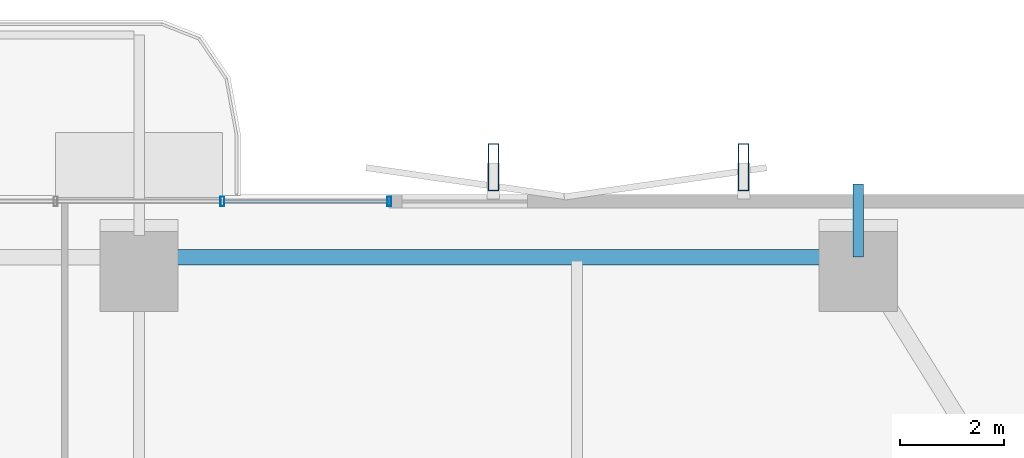
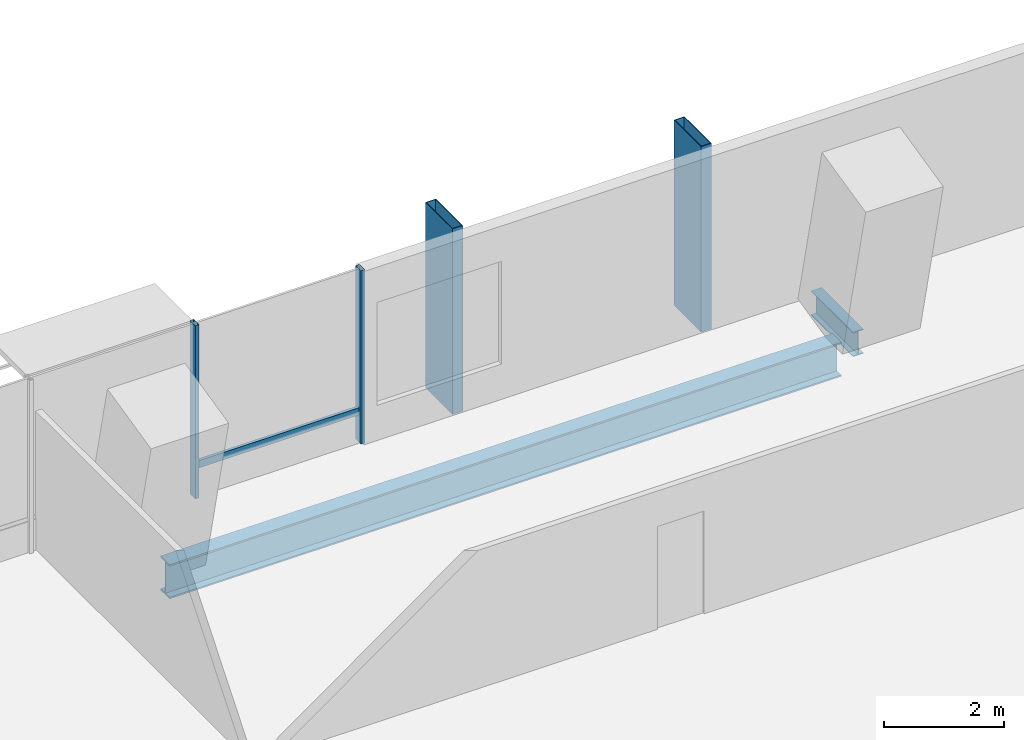
# One storey, part 15 of 24: 5 members, 2 beams, 1 element without a shape of its own.
"""IFC4 building model written with IfcOpenShell, lengths in metres."""

from ifc_helpers import new_model, si_unit, direction, frame, origin, origin_2d, place, context, subcontext, project, spatial, hollow_rectangle, i_section, extrude, material, layer, layer_set, material_profile, profile_set, type_object, element, aggregate, save


model = new_model("IFC4")

# Units and contexts
model_context = context("Model", 3, precision=1e-05, world=origin(), true_north=direction((0.0, 1.0)))
body_context = subcontext(model_context, "Body", "Model", "MODEL_VIEW")
ifc_project = project(units=[si_unit("LENGTHUNIT", "METRE"), si_unit("AREAUNIT", "SQUARE_METRE"), si_unit("VOLUMEUNIT", "CUBIC_METRE"), si_unit("PLANEANGLEUNIT", "RADIAN"), si_unit("MASSUNIT", "GRAM", prefix="KILO")], contexts=[model_context])

# Site, building, storey
site_placement = place(None, origin())
site = spatial("IfcSite", under=ifc_project, at=site_placement, CompositionType="ELEMENT")
building_placement = place(site_placement, origin())
building = spatial("IfcBuilding", under=site, at=building_placement, Name="Belovzor Exchange Tower", CompositionType="ELEMENT")
storey_placement = place(building_placement, frame((0.0, 0.0, 104.10009765625)))
storey = spatial("IfcBuildingStorey", under=building, at=storey_placement, Name="L25", CompositionType="ELEMENT", Elevation=104.10009765625)

# Beam
ifc_material_1 = material(Name="Steel S355", Category="steel")
ifc_material_profile_1 = material_profile(ifc_material_1, i_section(OverallWidth=0.199951171875, OverallDepth=0.5, WebThickness=0.01025390625, FlangeThickness=0.01611328125, at=origin_2d()))
ifc_profile_set_1 = profile_set([ifc_material_profile_1], Name="Steel S355")
beam_type_1 = type_object("IfcBeamType", Name="Planted Balcony Cantilever Beam IPE 500", PredefinedType="BEAM", material=ifc_profile_set_1)
beam_1_placement = place(storey_placement, frame((42.60009765625, 55.5, -0.5), z_axis=(0.0, 1.0, 0.0), x_axis=(-1.0, 0.0, 0.0)))
element("IfcBeam", 1, at=beam_1_placement, inside=storey, type_object=beam_type_1, Name="BC-500 Planted Balcony Cantilever Beam IPE 500", PredefinedType="BEAM", context=body_context, shape_type="SweptSolid", body=[
    extrude(i_section(OverallWidth=0.199951171875, OverallDepth=0.5, WebThickness=0.01025390625, FlangeThickness=0.01611328125, at=origin_2d()), origin(), (0.0, 0.0, 1.0), 1.39990234375),
])

# Members
ifc_material_2 = material(Name="Extruded Architectural Terracotta on Steel S355 Carrier", Category="masonry")
ifc_material_profile_2 = material_profile(ifc_material_2, hollow_rectangle(XDim=0.199951171875, YDim=0.89990234375, WallThickness=0.011962890625, at=origin_2d()))
ifc_profile_set_2 = profile_set([ifc_material_profile_2], Name="Extruded Architectural Terracotta on Steel S355 Carrier")
member_type_1 = type_object("IfcMemberType", Name="Sweeping Terracotta Baguette Fin Assembly 1250", PredefinedType="USERDEFINED", material=ifc_profile_set_2)
for number, where, z_axis, x_axis, name in (
    (2, (35.60009765625, 57.22509765625, -0.25), (0.0, 0.0, 1.0), (1.0, 0.0, 0.0), "FIN-TC125 Terracotta Facade Fin L25 N3"),
    (3, (40.39990234375, 57.22509765625, -0.25), (0.0, 0.0, 1.0), (1.0, 0.0, 0.0), "FIN-TC125 Terracotta Facade Fin L25 N4"),
):
    element("IfcMember", number, at=place(storey_placement, frame(where, z_axis=z_axis, x_axis=x_axis)), inside=storey, type_object=member_type_1, Name=name, ObjectType="FIN", PredefinedType="USERDEFINED", context=body_context, shape_type="SweptSolid", body=[
        extrude(hollow_rectangle(XDim=0.199951171875, YDim=0.89990234375, WallThickness=0.011962890625, at=origin_2d()), origin(), (0.0, 0.0, 1.0), 3.789794921875),
    ])

# Curtain wall, members
ifc_material_3 = material(Name="Anodised Aluminium Framing", Category="aluminium")
ifc_layer = layer(ifc_material_3, 0.179931640625)
ifc_layer_set = layer_set([ifc_layer], Name="Anodised Aluminium Framing")
curtain_wall_type = type_object("IfcCurtainWallType", Name="Recessed Loggia Low-Iron Triple-Glazed Curtain Wall", PredefinedType="NOTDEFINED", material=ifc_layer_set)
curtain_wall_placement = place(storey_placement, origin())
curtain_wall = element("IfcCurtainWall", 4, at=curtain_wall_placement, inside=storey, type_object=curtain_wall_type, Name="CW3 Recessed Loggia Low-Iron Triple-Glazed Curtain Wall L25", PredefinedType="NOTDEFINED")
ifc_material_4 = material(Name="Steel S355", Category="steel")
ifc_material_profile_3 = material_profile(ifc_material_4, hollow_rectangle(XDim=0.074951171875, YDim=0.179931640625, WallThickness=0.0048828125, at=origin_2d()))
ifc_profile_set_3 = profile_set([ifc_material_profile_3], Name="Steel S355")
member_type_2 = type_object("IfcMemberType", Name="Thermally Broken Curtain Wall Mullion 180x75", PredefinedType="MULLION", material=ifc_profile_set_3)
member_1_placement = place(storey_placement, frame((30.39990234375, 56.570068359375, 0.0), z_axis=(0.0, 0.0, 1.0), x_axis=(1.0, 0.0, 0.0)))
member_1 = element("IfcMember", 5, at=member_1_placement, type_object=member_type_2, Name="CW-M180 Curtain Wall Mullion 3", PredefinedType="MULLION", context=body_context, shape_type="SweptSolid", body=[
    extrude(hollow_rectangle(XDim=0.074951171875, YDim=0.179931640625, WallThickness=0.0048828125, at=origin_2d()), origin(), (0.0, 0.0, 1.0), 3.539794921875),
])
member_2_placement = place(storey_placement, frame((33.60009765625, 56.570068359375, 0.0), z_axis=(0.0, 0.0, 1.0), x_axis=(1.0, 0.0, 0.0)))
member_2 = element("IfcMember", 6, at=member_2_placement, type_object=member_type_2, Name="CW-M180 Curtain Wall Mullion 4", PredefinedType="MULLION", context=body_context, shape_type="SweptSolid", body=[
    extrude(hollow_rectangle(XDim=0.074951171875, YDim=0.179931640625, WallThickness=0.0048828125, at=origin_2d()), origin(), (0.0, 0.0, 1.0), 3.539794921875),
])
ifc_material_5 = material(Name="Steel S355", Category="steel")
ifc_material_profile_4 = material_profile(ifc_material_5, hollow_rectangle(XDim=0.06005859375, YDim=0.14990234375, WallThickness=0.00390625, at=origin_2d()))
ifc_profile_set_4 = profile_set([ifc_material_profile_4], Name="Steel S355")
member_type_3 = type_object("IfcMemberType", Name="Thermally Broken Curtain Wall Transom 150x60", PredefinedType="USERDEFINED", material=ifc_profile_set_4)
member_3_placement = place(storey_placement, frame((30.407958984375, 56.570068359375, 0.636962890625), z_axis=(1.0, 0.0, 0.0), x_axis=(0.0, 1.0, 0.0)))
member_3 = element("IfcMember", 7, at=member_3_placement, type_object=member_type_3, Name="CW-T150 Curtain Wall Transom 3", ObjectType="TRANSOM", PredefinedType="USERDEFINED", context=body_context, shape_type="SweptSolid", body=[
    extrude(hollow_rectangle(XDim=0.06005859375, YDim=0.14990234375, WallThickness=0.00390625, at=origin_2d()), origin(), (0.0, 0.0, 1.0), 3.18408203125),
])
aggregate(curtain_wall, [member_1, member_2, member_3])

# Beam
ifc_material_6 = material(Name="Steel S355", Category="steel")
ifc_material_profile_5 = material_profile(ifc_material_6, i_section(OverallWidth=0.300048828125, OverallDepth=0.699951171875, WebThickness=0.01708984375, FlangeThickness=0.031982421875, at=origin_2d()))
ifc_profile_set_5 = profile_set([ifc_material_profile_5], Name="Steel S355")
beam_type_2 = type_object("IfcBeamType", Name="Zone 1 Primary Perimeter Girder HEB 700", PredefinedType="BEAM", material=ifc_profile_set_5)
beam_2_placement = place(storey_placement, frame((42.18798828125, 55.5, -0.60009765625), z_axis=(-1.0, 0.0, 0.0), x_axis=(0.0, -1.0, 0.0)))
element("IfcBeam", 8, at=beam_2_placement, inside=storey, type_object=beam_type_2, Name="FG-Z1 Zone 1 Primary Perimeter Girder HEB 700", PredefinedType="BEAM", context=body_context, shape_type="SweptSolid", body=[
    extrude(i_section(OverallWidth=0.300048828125, OverallDepth=0.699951171875, WebThickness=0.01708984375, FlangeThickness=0.031982421875, at=origin_2d()), origin(), (0.0, 0.0, 1.0), 12.97509765625),
])

save(model, "model.ifc")
